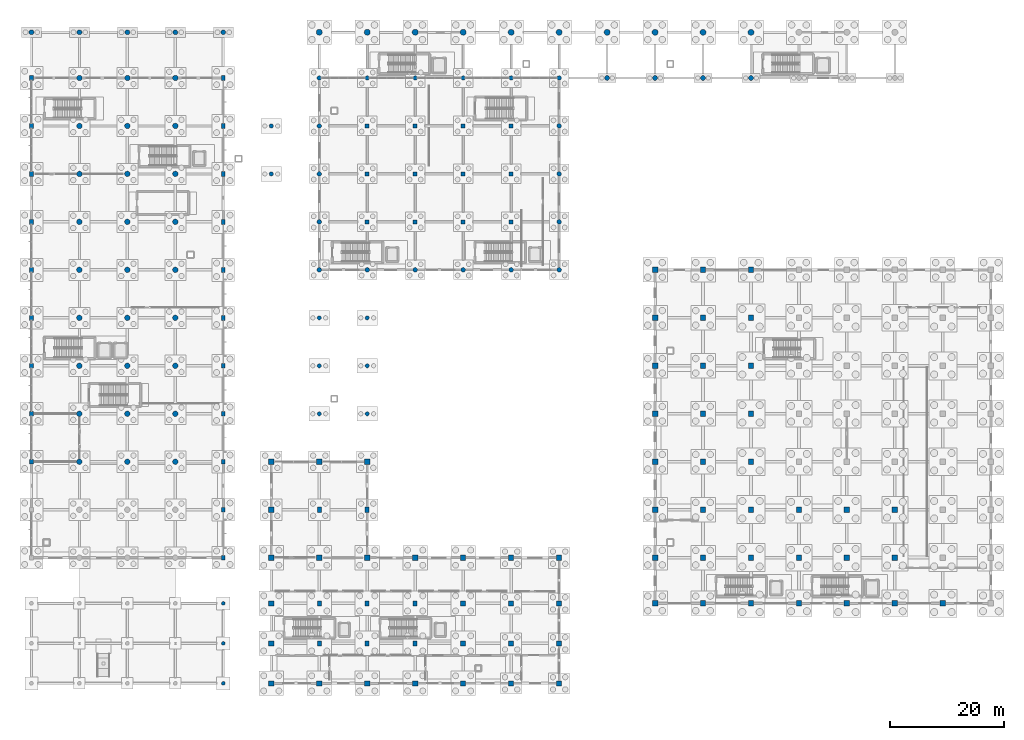
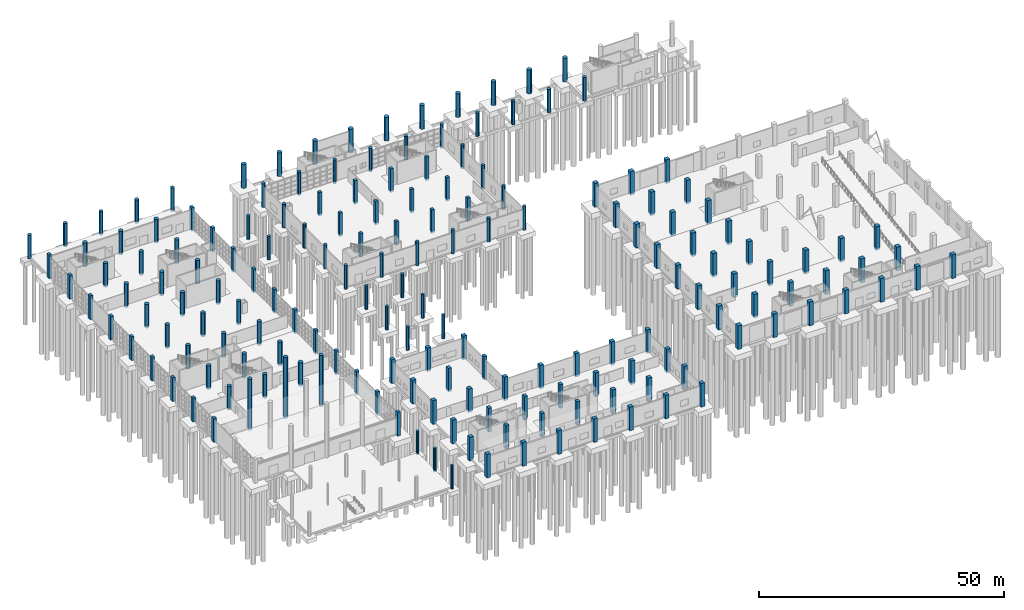
# One storey, part 12 of 83: 175 columns.
"""IFC4 building model written with IfcOpenShell, lengths in metres."""

from ifc_helpers import new_model, si_unit, direction, frame, origin, origin_2d, place, context, subcontext, project, spatial, rectangle, circle, extrude, material, material_profile, profile_set, type_object, element, save


model = new_model("IFC4")

# Units and contexts
model_context = context("Model", 3, precision=1e-05, world=origin(), true_north=direction((0.0, 1.0)))
body_context = subcontext(model_context, "Body", "Model", "MODEL_VIEW")
ifc_project = project(units=[si_unit("LENGTHUNIT", "METRE"), si_unit("AREAUNIT", "SQUARE_METRE"), si_unit("VOLUMEUNIT", "CUBIC_METRE"), si_unit("PLANEANGLEUNIT", "RADIAN"), si_unit("MASSUNIT", "GRAM", prefix="KILO"), si_unit("THERMODYNAMICTEMPERATUREUNIT", "KELVIN"), si_unit("POWERUNIT", "WATT")], contexts=[model_context])

# Site, building, storey
site_placement = place(None, origin())
site = spatial("IfcSite", under=ifc_project, at=site_placement, CompositionType="ELEMENT")
building_placement = place(site_placement, origin())
building = spatial("IfcBuilding", under=site, at=building_placement, Name="Mavoryth Pier Ferry Terminal", CompositionType="ELEMENT")
storey_placement = place(building_placement, origin())
storey = spatial("IfcBuildingStorey", under=building, at=storey_placement, Name="L00", CompositionType="ELEMENT", Elevation=0.0)

# Columns
ifc_material = material(Name="Concrete C40/50", Category="concrete")
ifc_material_profile_1 = material_profile(ifc_material, circle(Radius=0.52490234375, at=origin_2d()), Name="RC D1050", Category="concrete")
ifc_profile_set_1 = profile_set([ifc_material_profile_1], Name="Concrete C40/50 - RC D1050")
column_type_1 = type_object("IfcColumnType", Name="Col-Pilaster-D1050", PredefinedType="PILASTER", material=ifc_profile_set_1)
for number, where, z_axis, x_axis, name in (
    (1, (50.39990234375, 114.0, -0.4599609375), (0.0, 0.0, 1.0), (1.0, 0.0, 0.0), "Column C00-PS01-259"),
    (2, (58.800048828125, 114.0, -0.4599609375), (0.0, 0.0, 1.0), (1.0, 0.0, 0.0), "Column C00-PS01-261"),
    (3, (67.199951171875, 114.0, -0.4599609375), (0.0, 0.0, 1.0), (1.0, 0.0, 0.0), "Column C00-PS01-263"),
    (4, (75.60009765625, 114.0, -0.4599609375), (0.0, 0.0, 1.0), (1.0, 0.0, 0.0), "Column C00-PS01-265"),
    (5, (84.0, 114.0, -0.4599609375), (0.0, 0.0, 1.0), (1.0, 0.0, 0.0), "Column C00-PS01-267"),
    (6, (92.39990234375, 114.0, -0.4599609375), (0.0, 0.0, 1.0), (1.0, 0.0, 0.0), "Column C00-PS01-269"),
    (7, (100.800048828125, 114.0, -0.4599609375), (0.0, 0.0, 1.0), (1.0, 0.0, 0.0), "Column C00-PS01-273"),
    (8, (109.199951171875, 114.0, -0.4599609375), (0.0, 0.0, 1.0), (1.0, 0.0, 0.0), "Column C00-PS01-277"),
    (9, (117.60009765625, 114.0, -0.4599609375), (0.0, 0.0, 1.0), (1.0, 0.0, 0.0), "Column C00-PS01-281"),
    (10, (126.0, 114.0, -0.4599609375), (0.0, 0.0, 1.0), (1.0, 0.0, 0.0), "Column C00-PS01-285"),
):
    element("IfcColumn", number, at=place(storey_placement, frame(where, z_axis=z_axis, x_axis=x_axis)), inside=storey, type_object=column_type_1, Name=name, PredefinedType="PILASTER", context=body_context, shape_type="SweptSolid", body=[
        extrude(circle(Radius=0.52490234375, at=origin_2d()), origin(), (0.0, 0.0, 1.0), 5.89990234375),
    ])
ifc_material_profile_2 = material_profile(ifc_material, circle(Radius=0.324951171875, at=origin_2d()), Name="RC D650", Category="concrete")
ifc_profile_set_2 = profile_set([ifc_material_profile_2], Name="Concrete C40/50 - RC D650")
column_type_2 = type_object("IfcColumnType", Name="Col-Pilotis-D650", PredefinedType="COLUMN", material=ifc_profile_set_2)
for number, where, z_axis, x_axis, name in (
    (11, (33.60009765625, 0.0, -0.4599609375), (0.0, 0.0, 1.0), (1.0, 0.0, 0.0), "Column C00-CC01-014"),
    (12, (33.60009765625, 7.0, -0.4599609375), (0.0, 0.0, 1.0), (1.0, 0.0, 0.0), "Column C00-CC01-015"),
    (13, (33.60009765625, 14.0, -0.4599609375), (0.0, 0.0, 1.0), (1.0, 0.0, 0.0), "Column C00-CC01-016"),
):
    element("IfcColumn", number, at=place(storey_placement, frame(where, z_axis=z_axis, x_axis=x_axis)), inside=storey, type_object=column_type_2, Name=name, PredefinedType="COLUMN", context=body_context, shape_type="SweptSolid", body=[
        extrude(circle(Radius=0.324951171875, at=origin_2d()), origin(), (0.0, 0.0, 1.0), 5.89990234375),
    ])
ifc_material_profile_3 = material_profile(ifc_material, circle(Radius=0.360107421875, at=origin_2d()), Name="RC D720", Category="concrete")
ifc_profile_set_3 = profile_set([ifc_material_profile_3], Name="Concrete C40/50 - RC D720")
column_type_3 = type_object("IfcColumnType", Name="Col-Pilotis-D720", PredefinedType="COLUMN", material=ifc_profile_set_3)
for number, where, z_axis, x_axis, name in (
    (14, (42.0, 89.199951171875, -0.4599609375), (0.0, 0.0, 1.0), (1.0, 0.0, 0.0), "Column C00-CC02-017"),
    (15, (42.0, 97.60009765625, -0.4599609375), (0.0, 0.0, 1.0), (1.0, 0.0, 0.0), "Column C00-CC02-019"),
    (16, (50.39990234375, 47.199951171875, -0.4599609375), (0.0, 0.0, 1.0), (1.0, 0.0, 0.0), "Column C00-CC02-021"),
    (17, (50.39990234375, 55.60009765625, -0.4599609375), (0.0, 0.0, 1.0), (1.0, 0.0, 0.0), "Column C00-CC02-023"),
    (18, (50.39990234375, 64.0, -0.4599609375), (0.0, 0.0, 1.0), (1.0, 0.0, 0.0), "Column C00-CC02-025"),
    (19, (58.800048828125, 47.199951171875, -0.4599609375), (0.0, 0.0, 1.0), (1.0, 0.0, 0.0), "Column C00-CC02-027"),
    (20, (58.800048828125, 55.60009765625, -0.4599609375), (0.0, 0.0, 1.0), (1.0, 0.0, 0.0), "Column C00-CC02-029"),
    (21, (58.800048828125, 64.0, -0.4599609375), (0.0, 0.0, 1.0), (1.0, 0.0, 0.0), "Column C00-CC02-031"),
):
    element("IfcColumn", number, at=place(storey_placement, frame(where, z_axis=z_axis, x_axis=x_axis)), inside=storey, type_object=column_type_3, Name=name, PredefinedType="COLUMN", context=body_context, shape_type="SweptSolid", body=[
        extrude(circle(Radius=0.360107421875, at=origin_2d()), origin(), (0.0, 0.0, 1.0), 5.89990234375),
    ])
ifc_material_profile_4 = material_profile(ifc_material, circle(Radius=0.389892578125, at=origin_2d()), Name="RC D780", Category="concrete")
ifc_profile_set_4 = profile_set([ifc_material_profile_4], Name="Concrete C40/50 - RC D780")
column_type_4 = type_object("IfcColumnType", Name="Col-Pilotis-D780", PredefinedType="COLUMN", material=ifc_profile_set_4)
for number, where, z_axis, x_axis, name in (
    (22, (50.39990234375, 72.39990234375, -0.4599609375), (0.0, 0.0, 1.0), (1.0, 0.0, 0.0), "Column C00-CC03-180"),
    (23, (50.39990234375, 80.800048828125, -0.4599609375), (0.0, 0.0, 1.0), (1.0, 0.0, 0.0), "Column C00-CC03-181"),
    (24, (50.39990234375, 89.199951171875, -0.4599609375), (0.0, 0.0, 1.0), (1.0, 0.0, 0.0), "Column C00-CC03-182"),
    (25, (50.39990234375, 97.60009765625, -0.4599609375), (0.0, 0.0, 1.0), (1.0, 0.0, 0.0), "Column C00-CC03-183"),
    (26, (50.39990234375, 106.0, -0.4599609375), (0.0, 0.0, 1.0), (1.0, 0.0, 0.0), "Column C00-CC03-184"),
    (27, (58.800048828125, 72.39990234375, -0.4599609375), (0.0, 0.0, 1.0), (1.0, 0.0, 0.0), "Column C00-CC03-185"),
    (28, (58.800048828125, 106.0, -0.4599609375), (0.0, 0.0, 1.0), (1.0, 0.0, 0.0), "Column C00-CC03-189"),
    (29, (67.199951171875, 72.39990234375, -0.4599609375), (0.0, 0.0, 1.0), (1.0, 0.0, 0.0), "Column C00-CC03-190"),
    (30, (67.199951171875, 106.0, -0.4599609375), (0.0, 0.0, 1.0), (1.0, 0.0, 0.0), "Column C00-CC03-194"),
    (31, (75.60009765625, 72.39990234375, -0.4599609375), (0.0, 0.0, 1.0), (1.0, 0.0, 0.0), "Column C00-CC03-195"),
    (32, (75.60009765625, 106.0, -0.4599609375), (0.0, 0.0, 1.0), (1.0, 0.0, 0.0), "Column C00-CC03-199"),
    (33, (84.0, 72.39990234375, -0.4599609375), (0.0, 0.0, 1.0), (1.0, 0.0, 0.0), "Column C00-CC03-200"),
    (34, (84.0, 106.0, -0.4599609375), (0.0, 0.0, 1.0), (1.0, 0.0, 0.0), "Column C00-CC03-204"),
    (35, (92.39990234375, 72.39990234375, -0.4599609375), (0.0, 0.0, 1.0), (1.0, 0.0, 0.0), "Column C00-CC03-205"),
    (36, (92.39990234375, 80.800048828125, -0.4599609375), (0.0, 0.0, 1.0), (1.0, 0.0, 0.0), "Column C00-CC03-206"),
    (37, (92.39990234375, 89.199951171875, -0.4599609375), (0.0, 0.0, 1.0), (1.0, 0.0, 0.0), "Column C00-CC03-207"),
    (38, (92.39990234375, 97.60009765625, -0.4599609375), (0.0, 0.0, 1.0), (1.0, 0.0, 0.0), "Column C00-CC03-208"),
    (39, (92.39990234375, 106.0, -0.4599609375), (0.0, 0.0, 1.0), (1.0, 0.0, 0.0), "Column C00-CC03-209"),
):
    element("IfcColumn", number, at=place(storey_placement, frame(where, z_axis=z_axis, x_axis=x_axis)), inside=storey, type_object=column_type_4, Name=name, PredefinedType="COLUMN", context=body_context, shape_type="SweptSolid", body=[
        extrude(circle(Radius=0.389892578125, at=origin_2d()), origin(), (0.0, 0.0, 1.0), 5.89990234375),
    ])
ifc_material_profile_5 = material_profile(ifc_material, circle(Radius=0.425048828125, at=origin_2d()), Name="RC D850", Category="concrete")
ifc_profile_set_5 = profile_set([ifc_material_profile_5], Name="Concrete C40/50 - RC D850")
column_type_5 = type_object("IfcColumnType", Name="Col-Pilotis-D850", PredefinedType="COLUMN", material=ifc_profile_set_5)
for number, where, z_axis, x_axis, name in (
    (40, (0.0, 114.0, -0.4599609375), (0.0, 0.0, 1.0), (1.0, 0.0, 0.0), "Column C00-CC04-044"),
    (41, (8.39990234375, 114.0, -0.4599609375), (0.0, 0.0, 1.0), (1.0, 0.0, 0.0), "Column C00-CC04-056"),
    (42, (16.800048828125, 114.0, -0.4599609375), (0.0, 0.0, 1.0), (1.0, 0.0, 0.0), "Column C00-CC04-068"),
    (43, (25.199951171875, 114.0, -0.4599609375), (0.0, 0.0, 1.0), (1.0, 0.0, 0.0), "Column C00-CC04-080"),
    (44, (33.60009765625, 114.0, -0.4599609375), (0.0, 0.0, 1.0), (1.0, 0.0, 0.0), "Column C00-CC04-092"),
    (45, (100.800048828125, 106.0, -0.4599609375), (0.0, 0.0, 1.0), (1.0, 0.0, 0.0), "Column C00-CC04-271"),
    (46, (109.199951171875, 106.0, -0.4599609375), (0.0, 0.0, 1.0), (1.0, 0.0, 0.0), "Column C00-CC04-275"),
    (47, (117.60009765625, 106.0, -0.4599609375), (0.0, 0.0, 1.0), (1.0, 0.0, 0.0), "Column C00-CC04-279"),
    (48, (126.0, 106.0, -0.4599609375), (0.0, 0.0, 1.0), (1.0, 0.0, 0.0), "Column C00-CC04-283"),
):
    element("IfcColumn", number, at=place(storey_placement, frame(where, z_axis=z_axis, x_axis=x_axis)), inside=storey, type_object=column_type_5, Name=name, PredefinedType="COLUMN", context=body_context, shape_type="SweptSolid", body=[
        extrude(circle(Radius=0.425048828125, at=origin_2d()), origin(), (0.0, 0.0, 1.0), 5.89990234375),
    ])
ifc_material_profile_6 = material_profile(ifc_material, circle(Radius=0.47509765625, at=origin_2d()), Name="RC D950", Category="concrete")
ifc_profile_set_6 = profile_set([ifc_material_profile_6], Name="Concrete C40/50 - RC D950")
column_type_6 = type_object("IfcColumnType", Name="Col-Pilotis-D950", PredefinedType="COLUMN", material=ifc_profile_set_6)
column_1_placement = place(storey_placement, frame((8.39990234375, 38.800048828125, -0.4599609375), z_axis=(0.0, 0.0, 1.0), x_axis=(1.0, 0.0, 0.0)))
element("IfcColumn", 49, at=column_1_placement, inside=storey, type_object=column_type_6, Name="Column C00-CC05-047", PredefinedType="COLUMN", context=body_context, shape_type="SweptSolid", body=[
    extrude(circle(Radius=0.47509765625, at=origin_2d()), origin(), (0.0, 0.0, 1.0), 12.767578125),
])
for number, where, z_axis, x_axis, name in (
    (50, (8.39990234375, 47.199951171875, -0.4599609375), (0.0, 0.0, 1.0), (1.0, 0.0, 0.0), "Column C00-CC05-048"),
    (51, (8.39990234375, 55.60009765625, -0.4599609375), (0.0, 0.0, 1.0), (1.0, 0.0, 0.0), "Column C00-CC05-049"),
    (52, (8.39990234375, 64.0, -0.4599609375), (0.0, 0.0, 1.0), (1.0, 0.0, 0.0), "Column C00-CC05-050"),
    (53, (8.39990234375, 72.39990234375, -0.4599609375), (0.0, 0.0, 1.0), (1.0, 0.0, 0.0), "Column C00-CC05-051"),
    (54, (8.39990234375, 80.800048828125, -0.4599609375), (0.0, 0.0, 1.0), (1.0, 0.0, 0.0), "Column C00-CC05-052"),
    (55, (8.39990234375, 89.199951171875, -0.4599609375), (0.0, 0.0, 1.0), (1.0, 0.0, 0.0), "Column C00-CC05-053"),
    (56, (8.39990234375, 97.60009765625, -0.4599609375), (0.0, 0.0, 1.0), (1.0, 0.0, 0.0), "Column C00-CC05-054"),
    (57, (8.39990234375, 106.0, -0.4599609375), (0.0, 0.0, 1.0), (1.0, 0.0, 0.0), "Column C00-CC05-055"),
):
    element("IfcColumn", number, at=place(storey_placement, frame(where, z_axis=z_axis, x_axis=x_axis)), inside=storey, type_object=column_type_6, Name=name, PredefinedType="COLUMN", context=body_context, shape_type="SweptSolid", body=[
        extrude(circle(Radius=0.47509765625, at=origin_2d()), origin(), (0.0, 0.0, 1.0), 5.89990234375),
    ])
column_2_placement = place(storey_placement, frame((16.800048828125, 38.800048828125, -0.4599609375), z_axis=(0.0, 0.0, 1.0), x_axis=(1.0, 0.0, 0.0)))
element("IfcColumn", 58, at=column_2_placement, inside=storey, type_object=column_type_6, Name="Column C00-CC05-059", PredefinedType="COLUMN", context=body_context, shape_type="SweptSolid", body=[
    extrude(circle(Radius=0.47509765625, at=origin_2d()), origin(), (0.0, 0.0, 1.0), 15.24560546875),
])
for number, where, z_axis, x_axis, name in (
    (59, (16.800048828125, 47.199951171875, -0.4599609375), (0.0, 0.0, 1.0), (1.0, 0.0, 0.0), "Column C00-CC05-060"),
    (60, (16.800048828125, 55.60009765625, -0.4599609375), (0.0, 0.0, 1.0), (1.0, 0.0, 0.0), "Column C00-CC05-061"),
    (61, (16.800048828125, 64.0, -0.4599609375), (0.0, 0.0, 1.0), (1.0, 0.0, 0.0), "Column C00-CC05-062"),
    (62, (16.800048828125, 72.39990234375, -0.4599609375), (0.0, 0.0, 1.0), (1.0, 0.0, 0.0), "Column C00-CC05-063"),
    (63, (16.800048828125, 80.800048828125, -0.4599609375), (0.0, 0.0, 1.0), (1.0, 0.0, 0.0), "Column C00-CC05-064"),
    (64, (16.800048828125, 89.199951171875, -0.4599609375), (0.0, 0.0, 1.0), (1.0, 0.0, 0.0), "Column C00-CC05-065"),
    (65, (16.800048828125, 97.60009765625, -0.4599609375), (0.0, 0.0, 1.0), (1.0, 0.0, 0.0), "Column C00-CC05-066"),
    (66, (16.800048828125, 106.0, -0.4599609375), (0.0, 0.0, 1.0), (1.0, 0.0, 0.0), "Column C00-CC05-067"),
):
    element("IfcColumn", number, at=place(storey_placement, frame(where, z_axis=z_axis, x_axis=x_axis)), inside=storey, type_object=column_type_6, Name=name, PredefinedType="COLUMN", context=body_context, shape_type="SweptSolid", body=[
        extrude(circle(Radius=0.47509765625, at=origin_2d()), origin(), (0.0, 0.0, 1.0), 5.89990234375),
    ])
column_3_placement = place(storey_placement, frame((25.199951171875, 38.800048828125, -0.4599609375), z_axis=(0.0, 0.0, 1.0), x_axis=(1.0, 0.0, 0.0)))
element("IfcColumn", 67, at=column_3_placement, inside=storey, type_object=column_type_6, Name="Column C00-CC05-071", PredefinedType="COLUMN", context=body_context, shape_type="SweptSolid", body=[
    extrude(circle(Radius=0.47509765625, at=origin_2d()), origin(), (0.0, 0.0, 1.0), 12.767578125),
])
for number, where, z_axis, x_axis, name in (
    (68, (25.199951171875, 47.199951171875, -0.4599609375), (0.0, 0.0, 1.0), (1.0, 0.0, 0.0), "Column C00-CC05-072"),
    (69, (25.199951171875, 55.60009765625, -0.4599609375), (0.0, 0.0, 1.0), (1.0, 0.0, 0.0), "Column C00-CC05-073"),
    (70, (25.199951171875, 64.0, -0.4599609375), (0.0, 0.0, 1.0), (1.0, 0.0, 0.0), "Column C00-CC05-074"),
    (71, (25.199951171875, 72.39990234375, -0.4599609375), (0.0, 0.0, 1.0), (1.0, 0.0, 0.0), "Column C00-CC05-075"),
    (72, (25.199951171875, 80.800048828125, -0.4599609375), (0.0, 0.0, 1.0), (1.0, 0.0, 0.0), "Column C00-CC05-076"),
    (73, (25.199951171875, 89.199951171875, -0.4599609375), (0.0, 0.0, 1.0), (1.0, 0.0, 0.0), "Column C00-CC05-077"),
    (74, (25.199951171875, 97.60009765625, -0.4599609375), (0.0, 0.0, 1.0), (1.0, 0.0, 0.0), "Column C00-CC05-078"),
    (75, (25.199951171875, 106.0, -0.4599609375), (0.0, 0.0, 1.0), (1.0, 0.0, 0.0), "Column C00-CC05-079"),
):
    element("IfcColumn", number, at=place(storey_placement, frame(where, z_axis=z_axis, x_axis=x_axis)), inside=storey, type_object=column_type_6, Name=name, PredefinedType="COLUMN", context=body_context, shape_type="SweptSolid", body=[
        extrude(circle(Radius=0.47509765625, at=origin_2d()), origin(), (0.0, 0.0, 1.0), 5.89990234375),
    ])
ifc_material_profile_7 = material_profile(ifc_material, rectangle(XDim=0.699951171875, YDim=0.699951171875, at=origin_2d()), Name="RC 700x700", Category="concrete")
ifc_profile_set_7 = profile_set([ifc_material_profile_7], Name="Concrete C40/50 - RC 700x700")
column_type_7 = type_object("IfcColumnType", Name="Col-RC-700x700", PredefinedType="COLUMN", material=ifc_profile_set_7)
for number, where, z_axis, x_axis, name in (
    (76, (58.800048828125, 80.800048828125, -0.4599609375), (0.0, 0.0, 1.0), (1.0, 0.0, 0.0), "Column C00-CC09-186"),
    (77, (58.800048828125, 89.199951171875, -0.4599609375), (0.0, 0.0, 1.0), (1.0, 0.0, 0.0), "Column C00-CC09-187"),
    (78, (58.800048828125, 97.60009765625, -0.4599609375), (0.0, 0.0, 1.0), (1.0, 0.0, 0.0), "Column C00-CC09-188"),
    (79, (67.199951171875, 80.800048828125, -0.4599609375), (0.0, 0.0, 1.0), (1.0, 0.0, 0.0), "Column C00-CC09-191"),
    (80, (67.199951171875, 89.199951171875, -0.4599609375), (0.0, 0.0, 1.0), (1.0, 0.0, 0.0), "Column C00-CC09-192"),
    (81, (67.199951171875, 97.60009765625, -0.4599609375), (0.0, 0.0, 1.0), (1.0, 0.0, 0.0), "Column C00-CC09-193"),
    (82, (75.60009765625, 80.800048828125, -0.4599609375), (0.0, 0.0, 1.0), (1.0, 0.0, 0.0), "Column C00-CC09-196"),
    (83, (75.60009765625, 89.199951171875, -0.4599609375), (0.0, 0.0, 1.0), (1.0, 0.0, 0.0), "Column C00-CC09-197"),
    (84, (75.60009765625, 97.60009765625, -0.4599609375), (0.0, 0.0, 1.0), (1.0, 0.0, 0.0), "Column C00-CC09-198"),
    (85, (84.0, 80.800048828125, -0.4599609375), (0.0, 0.0, 1.0), (1.0, 0.0, 0.0), "Column C00-CC09-201"),
    (86, (84.0, 89.199951171875, -0.4599609375), (0.0, 0.0, 1.0), (1.0, 0.0, 0.0), "Column C00-CC09-202"),
    (87, (84.0, 97.60009765625, -0.4599609375), (0.0, 0.0, 1.0), (1.0, 0.0, 0.0), "Column C00-CC09-203"),
):
    element("IfcColumn", number, at=place(storey_placement, frame(where, z_axis=z_axis, x_axis=x_axis)), inside=storey, type_object=column_type_7, Name=name, PredefinedType="COLUMN", context=body_context, shape_type="SweptSolid", body=[
        extrude(rectangle(XDim=0.699951171875, YDim=0.699951171875, at=origin_2d()), origin(), (0.0, 0.0, 1.0), 5.89990234375),
    ])
ifc_material_profile_8 = material_profile(ifc_material, rectangle(XDim=0.64990234375, YDim=0.85009765625, at=origin_2d()), Name="RC 850x650", Category="concrete")
ifc_profile_set_8 = profile_set([ifc_material_profile_8], Name="Concrete C40/50 - RC 850x650")
column_type_8 = type_object("IfcColumnType", Name="Col-RC-850x650", PredefinedType="COLUMN", material=ifc_profile_set_8)
for number, where, z_axis, x_axis, name in (
    (88, (0.0, 38.800048828125, -0.4599609375), (0.0, 0.0, 1.0), (1.0, 0.0, 0.0), "Column C00-CC12-035"),
    (89, (0.0, 47.199951171875, -0.4599609375), (0.0, 0.0, 1.0), (1.0, 0.0, 0.0), "Column C00-CC12-036"),
    (90, (0.0, 55.60009765625, -0.4599609375), (0.0, 0.0, 1.0), (1.0, 0.0, 0.0), "Column C00-CC12-037"),
    (91, (0.0, 64.0, -0.4599609375), (0.0, 0.0, 1.0), (1.0, 0.0, 0.0), "Column C00-CC12-038"),
    (92, (0.0, 72.39990234375, -0.4599609375), (0.0, 0.0, 1.0), (1.0, 0.0, 0.0), "Column C00-CC12-039"),
    (93, (0.0, 80.800048828125, -0.4599609375), (0.0, 0.0, 1.0), (1.0, 0.0, 0.0), "Column C00-CC12-040"),
    (94, (0.0, 89.199951171875, -0.4599609375), (0.0, 0.0, 1.0), (1.0, 0.0, 0.0), "Column C00-CC12-041"),
    (95, (0.0, 97.60009765625, -0.4599609375), (0.0, 0.0, 1.0), (1.0, 0.0, 0.0), "Column C00-CC12-042"),
    (96, (0.0, 106.0, -0.4599609375), (0.0, 0.0, 1.0), (1.0, 0.0, 0.0), "Column C00-CC12-043"),
    (97, (33.60009765625, 22.0, -0.4599609375), (0.0, 0.0, 1.0), (1.0, 0.0, 0.0), "Column C00-CC12-081"),
    (98, (33.60009765625, 30.39990234375, -0.4599609375), (0.0, 0.0, 1.0), (1.0, 0.0, 0.0), "Column C00-CC12-082"),
    (99, (33.60009765625, 38.800048828125, -0.4599609375), (0.0, 0.0, 1.0), (1.0, 0.0, 0.0), "Column C00-CC12-083"),
    (100, (33.60009765625, 47.199951171875, -0.4599609375), (0.0, 0.0, 1.0), (1.0, 0.0, 0.0), "Column C00-CC12-084"),
    (101, (33.60009765625, 55.60009765625, -0.4599609375), (0.0, 0.0, 1.0), (1.0, 0.0, 0.0), "Column C00-CC12-085"),
    (102, (33.60009765625, 64.0, -0.4599609375), (0.0, 0.0, 1.0), (1.0, 0.0, 0.0), "Column C00-CC12-086"),
    (103, (33.60009765625, 72.39990234375, -0.4599609375), (0.0, 0.0, 1.0), (1.0, 0.0, 0.0), "Column C00-CC12-087"),
    (104, (33.60009765625, 80.800048828125, -0.4599609375), (0.0, 0.0, 1.0), (1.0, 0.0, 0.0), "Column C00-CC12-088"),
    (105, (33.60009765625, 89.199951171875, -0.4599609375), (0.0, 0.0, 1.0), (1.0, 0.0, 0.0), "Column C00-CC12-089"),
    (106, (33.60009765625, 97.60009765625, -0.4599609375), (0.0, 0.0, 1.0), (1.0, 0.0, 0.0), "Column C00-CC12-090"),
    (107, (33.60009765625, 106.0, -0.4599609375), (0.0, 0.0, 1.0), (1.0, 0.0, 0.0), "Column C00-CC12-091"),
):
    element("IfcColumn", number, at=place(storey_placement, frame(where, z_axis=z_axis, x_axis=x_axis)), inside=storey, type_object=column_type_8, Name=name, PredefinedType="COLUMN", context=body_context, shape_type="SweptSolid", body=[
        extrude(rectangle(XDim=0.64990234375, YDim=0.85009765625, at=origin_2d()), origin(), (0.0, 0.0, 1.0), 5.89990234375),
    ])
ifc_material_profile_9 = material_profile(ifc_material, rectangle(XDim=0.699951171875, YDim=0.89990234375, at=origin_2d()), Name="RC 900x700", Category="concrete")
ifc_profile_set_9 = profile_set([ifc_material_profile_9], Name="Concrete C40/50 - RC 900x700")
column_type_9 = type_object("IfcColumnType", Name="Col-RC-900x700", PredefinedType="COLUMN", material=ifc_profile_set_9)
for number, where, z_axis, x_axis, name in (
    (108, (50.39990234375, 7.0, -0.4599609375), (0.0, 0.0, 1.0), (1.0, 0.0, 0.0), "Column C00-CC13-530"),
    (109, (50.39990234375, 14.0, -0.4599609375), (0.0, 0.0, 1.0), (1.0, 0.0, 0.0), "Column C00-CC13-531"),
    (110, (58.800048828125, 7.0, -0.4599609375), (0.0, 0.0, 1.0), (1.0, 0.0, 0.0), "Column C00-CC13-534"),
    (111, (58.800048828125, 14.0, -0.4599609375), (0.0, 0.0, 1.0), (1.0, 0.0, 0.0), "Column C00-CC13-535"),
    (112, (67.199951171875, 7.0, -0.4599609375), (0.0, 0.0, 1.0), (1.0, 0.0, 0.0), "Column C00-CC13-538"),
    (113, (67.199951171875, 14.0, -0.4599609375), (0.0, 0.0, 1.0), (1.0, 0.0, 0.0), "Column C00-CC13-539"),
    (114, (50.39990234375, 30.39990234375, -0.4599609375), (0.0, 0.0, 1.0), (1.0, 0.0, 0.0), "Column C00-CC13-555"),
    (115, (58.800048828125, 30.39990234375, -0.4599609375), (0.0, 0.0, 1.0), (1.0, 0.0, 0.0), "Column C00-CC13-557"),
):
    element("IfcColumn", number, at=place(storey_placement, frame(where, z_axis=z_axis, x_axis=x_axis)), inside=storey, type_object=column_type_9, Name=name, PredefinedType="COLUMN", context=body_context, shape_type="SweptSolid", body=[
        extrude(rectangle(XDim=0.699951171875, YDim=0.89990234375, at=origin_2d()), origin(), (0.0, 0.0, 1.0), 5.89990234375),
    ])
ifc_material_profile_10 = material_profile(ifc_material, rectangle(XDim=0.89990234375, YDim=0.89990234375, at=origin_2d()), Name="RC 900x900", Category="concrete")
ifc_profile_set_10 = profile_set([ifc_material_profile_10], Name="Concrete C40/50 - RC 900x900")
column_type_10 = type_object("IfcColumnType", Name="Col-RC-900x900", PredefinedType="COLUMN", material=ifc_profile_set_10)
for number, where, z_axis, x_axis, name in (
    (116, (42.0, 0.0, -0.4599609375), (0.0, 0.0, 1.0), (1.0, 0.0, 0.0), "Column C00-CC14-525"),
    (117, (42.0, 7.0, -0.4599609375), (0.0, 0.0, 1.0), (1.0, 0.0, 0.0), "Column C00-CC14-526"),
    (118, (42.0, 14.0, -0.4599609375), (0.0, 0.0, 1.0), (1.0, 0.0, 0.0), "Column C00-CC14-527"),
    (119, (42.0, 22.0, -0.4599609375), (0.0, 0.0, 1.0), (1.0, 0.0, 0.0), "Column C00-CC14-528"),
    (120, (50.39990234375, 0.0, -0.4599609375), (0.0, 0.0, 1.0), (1.0, 0.0, 0.0), "Column C00-CC14-529"),
    (121, (50.39990234375, 22.0, -0.4599609375), (0.0, 0.0, 1.0), (1.0, 0.0, 0.0), "Column C00-CC14-532"),
    (122, (58.800048828125, 0.0, -0.4599609375), (0.0, 0.0, 1.0), (1.0, 0.0, 0.0), "Column C00-CC14-533"),
    (123, (58.800048828125, 22.0, -0.4599609375), (0.0, 0.0, 1.0), (1.0, 0.0, 0.0), "Column C00-CC14-536"),
    (124, (67.199951171875, 0.0, -0.4599609375), (0.0, 0.0, 1.0), (1.0, 0.0, 0.0), "Column C00-CC14-537"),
    (125, (67.199951171875, 22.0, -0.4599609375), (0.0, 0.0, 1.0), (1.0, 0.0, 0.0), "Column C00-CC14-540"),
    (126, (75.60009765625, 0.0, -0.4599609375), (0.0, 0.0, 1.0), (1.0, 0.0, 0.0), "Column C00-CC14-541"),
    (127, (75.60009765625, 7.0, -0.4599609375), (0.0, 0.0, 1.0), (1.0, 0.0, 0.0), "Column C00-CC14-542"),
    (128, (75.60009765625, 14.0, -0.4599609375), (0.0, 0.0, 1.0), (1.0, 0.0, 0.0), "Column C00-CC14-543"),
    (129, (75.60009765625, 22.0, -0.4599609375), (0.0, 0.0, 1.0), (1.0, 0.0, 0.0), "Column C00-CC14-544"),
    (130, (84.0, 0.0, -0.4599609375), (0.0, 0.0, 1.0), (1.0, 0.0, 0.0), "Column C00-CC14-545"),
    (131, (84.0, 7.0, -0.4599609375), (0.0, 0.0, 1.0), (1.0, 0.0, 0.0), "Column C00-CC14-546"),
    (132, (84.0, 14.0, -0.4599609375), (0.0, 0.0, 1.0), (1.0, 0.0, 0.0), "Column C00-CC14-547"),
    (133, (84.0, 22.0, -0.4599609375), (0.0, 0.0, 1.0), (1.0, 0.0, 0.0), "Column C00-CC14-548"),
    (134, (92.39990234375, 0.0, -0.4599609375), (0.0, 0.0, 1.0), (1.0, 0.0, 0.0), "Column C00-CC14-549"),
    (135, (92.39990234375, 7.0, -0.4599609375), (0.0, 0.0, 1.0), (1.0, 0.0, 0.0), "Column C00-CC14-550"),
    (136, (92.39990234375, 14.0, -0.4599609375), (0.0, 0.0, 1.0), (1.0, 0.0, 0.0), "Column C00-CC14-551"),
    (137, (92.39990234375, 22.0, -0.4599609375), (0.0, 0.0, 1.0), (1.0, 0.0, 0.0), "Column C00-CC14-552"),
    (138, (42.0, 30.39990234375, -0.4599609375), (0.0, 0.0, 1.0), (1.0, 0.0, 0.0), "Column C00-CC14-553"),
    (139, (42.0, 38.800048828125, -0.4599609375), (0.0, 0.0, 1.0), (1.0, 0.0, 0.0), "Column C00-CC14-554"),
    (140, (50.39990234375, 38.800048828125, -0.4599609375), (0.0, 0.0, 1.0), (1.0, 0.0, 0.0), "Column C00-CC14-556"),
    (141, (58.800048828125, 38.800048828125, -0.4599609375), (0.0, 0.0, 1.0), (1.0, 0.0, 0.0), "Column C00-CC14-558"),
):
    element("IfcColumn", number, at=place(storey_placement, frame(where, z_axis=z_axis, x_axis=x_axis)), inside=storey, type_object=column_type_10, Name=name, PredefinedType="COLUMN", context=body_context, shape_type="SweptSolid", body=[
        extrude(rectangle(XDim=0.89990234375, YDim=0.89990234375, at=origin_2d()), origin(), (0.0, 0.0, 1.0), 5.89990234375),
    ])
ifc_material_profile_11 = material_profile(ifc_material, rectangle(XDim=0.949951171875, YDim=0.949951171875, at=origin_2d()), Name="RC 950x950", Category="concrete")
ifc_profile_set_11 = profile_set([ifc_material_profile_11], Name="Concrete C40/50 - RC 950x950")
column_type_11 = type_object("IfcColumnType", Name="Col-RC-950x950", PredefinedType="COLUMN", material=ifc_profile_set_11)
for number, where, z_axis, x_axis, name in (
    (142, (109.199951171875, 14.0, -0.4599609375), (0.0, 0.0, 1.0), (1.0, 0.0, 0.0), "Column C00-CC15-299"),
    (143, (109.199951171875, 22.0, -0.4599609375), (0.0, 0.0, 1.0), (1.0, 0.0, 0.0), "Column C00-CC15-300"),
    (144, (109.199951171875, 30.39990234375, -0.4599609375), (0.0, 0.0, 1.0), (1.0, 0.0, 0.0), "Column C00-CC15-301"),
    (145, (109.199951171875, 38.800048828125, -0.4599609375), (0.0, 0.0, 1.0), (1.0, 0.0, 0.0), "Column C00-CC15-302"),
    (146, (109.199951171875, 47.199951171875, -0.4599609375), (0.0, 0.0, 1.0), (1.0, 0.0, 0.0), "Column C00-CC15-303"),
    (147, (109.199951171875, 55.60009765625, -0.4599609375), (0.0, 0.0, 1.0), (1.0, 0.0, 0.0), "Column C00-CC15-304"),
    (148, (109.199951171875, 64.0, -0.4599609375), (0.0, 0.0, 1.0), (1.0, 0.0, 0.0), "Column C00-CC15-305"),
    (149, (109.199951171875, 72.39990234375, -0.4599609375), (0.0, 0.0, 1.0), (1.0, 0.0, 0.0), "Column C00-CC15-306"),
    (150, (117.60009765625, 14.0, -0.4599609375), (0.0, 0.0, 1.0), (1.0, 0.0, 0.0), "Column C00-CC15-307"),
    (151, (117.60009765625, 22.0, -0.4599609375), (0.0, 0.0, 1.0), (1.0, 0.0, 0.0), "Column C00-CC15-308"),
    (152, (117.60009765625, 30.39990234375, -0.4599609375), (0.0, 0.0, 1.0), (1.0, 0.0, 0.0), "Column C00-CC15-309"),
    (153, (117.60009765625, 38.800048828125, -0.4599609375), (0.0, 0.0, 1.0), (1.0, 0.0, 0.0), "Column C00-CC15-310"),
    (154, (117.60009765625, 47.199951171875, -0.4599609375), (0.0, 0.0, 1.0), (1.0, 0.0, 0.0), "Column C00-CC15-311"),
    (155, (117.60009765625, 55.60009765625, -0.4599609375), (0.0, 0.0, 1.0), (1.0, 0.0, 0.0), "Column C00-CC15-312"),
    (156, (117.60009765625, 64.0, -0.4599609375), (0.0, 0.0, 1.0), (1.0, 0.0, 0.0), "Column C00-CC15-313"),
    (157, (117.60009765625, 72.39990234375, -0.4599609375), (0.0, 0.0, 1.0), (1.0, 0.0, 0.0), "Column C00-CC15-314"),
    (158, (126.0, 14.0, -0.4599609375), (0.0, 0.0, 1.0), (1.0, 0.0, 0.0), "Column C00-CC15-315"),
    (159, (126.0, 22.0, -0.4599609375), (0.0, 0.0, 1.0), (1.0, 0.0, 0.0), "Column C00-CC15-316"),
    (160, (126.0, 30.39990234375, -0.4599609375), (0.0, 0.0, 1.0), (1.0, 0.0, 0.0), "Column C00-CC15-317"),
    (161, (126.0, 38.800048828125, -0.4599609375), (0.0, 0.0, 1.0), (1.0, 0.0, 0.0), "Column C00-CC15-318"),
    (162, (126.0, 47.199951171875, -0.4599609375), (0.0, 0.0, 1.0), (1.0, 0.0, 0.0), "Column C00-CC15-319"),
    (163, (126.0, 55.60009765625, -0.4599609375), (0.0, 0.0, 1.0), (1.0, 0.0, 0.0), "Column C00-CC15-320"),
    (164, (126.0, 64.0, -0.4599609375), (0.0, 0.0, 1.0), (1.0, 0.0, 0.0), "Column C00-CC15-321"),
    (165, (126.0, 72.39990234375, -0.4599609375), (0.0, 0.0, 1.0), (1.0, 0.0, 0.0), "Column C00-CC15-322"),
    (166, (134.39990234375, 14.0, -0.4599609375), (0.0, 0.0, 1.0), (1.0, 0.0, 0.0), "Column C00-CC15-323"),
    (167, (134.39990234375, 22.0, -0.4599609375), (0.0, 0.0, 1.0), (1.0, 0.0, 0.0), "Column C00-CC15-324"),
    (168, (134.39990234375, 30.39990234375, -0.4599609375), (0.0, 0.0, 1.0), (1.0, 0.0, 0.0), "Column C00-CC15-325"),
    (169, (142.800048828125, 14.0, -0.4599609375), (0.0, 0.0, 1.0), (1.0, 0.0, 0.0), "Column C00-CC15-331"),
    (170, (142.800048828125, 22.0, -0.4599609375), (0.0, 0.0, 1.0), (1.0, 0.0, 0.0), "Column C00-CC15-332"),
    (171, (142.800048828125, 30.39990234375, -0.4599609375), (0.0, 0.0, 1.0), (1.0, 0.0, 0.0), "Column C00-CC15-333"),
    (172, (151.199951171875, 14.0, -0.4599609375), (0.0, 0.0, 1.0), (1.0, 0.0, 0.0), "Column C00-CC15-339"),
    (173, (151.199951171875, 22.0, -0.4599609375), (0.0, 0.0, 1.0), (1.0, 0.0, 0.0), "Column C00-CC15-340"),
    (174, (151.199951171875, 30.39990234375, -0.4599609375), (0.0, 0.0, 1.0), (1.0, 0.0, 0.0), "Column C00-CC15-341"),
    (175, (159.60009765625, 14.0, -0.4599609375), (0.0, 0.0, 1.0), (1.0, 0.0, 0.0), "Column C00-CC15-347"),
):
    element("IfcColumn", number, at=place(storey_placement, frame(where, z_axis=z_axis, x_axis=x_axis)), inside=storey, type_object=column_type_11, Name=name, PredefinedType="COLUMN", context=body_context, shape_type="SweptSolid", body=[
        extrude(rectangle(XDim=0.949951171875, YDim=0.949951171875, at=origin_2d()), origin(), (0.0, 0.0, 1.0), 5.89990234375),
    ])

save(model, "model.ifc")
